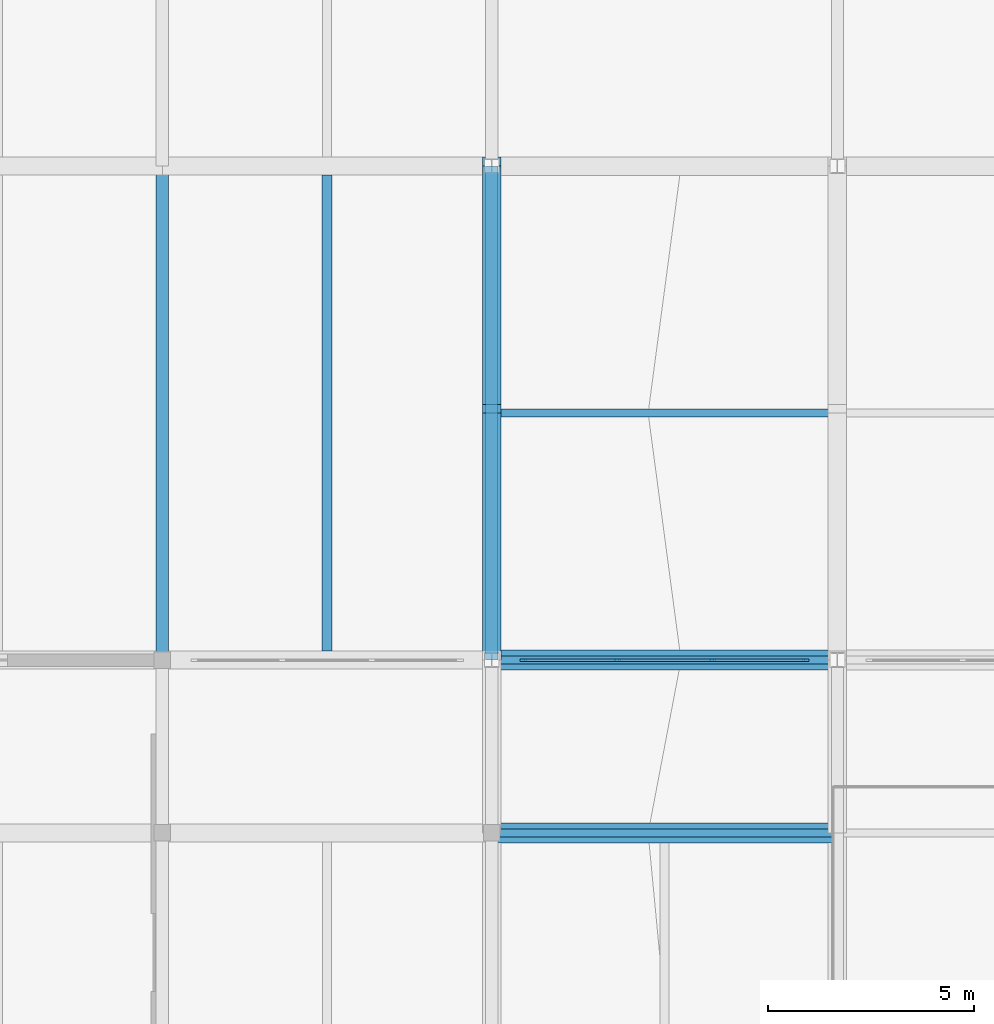
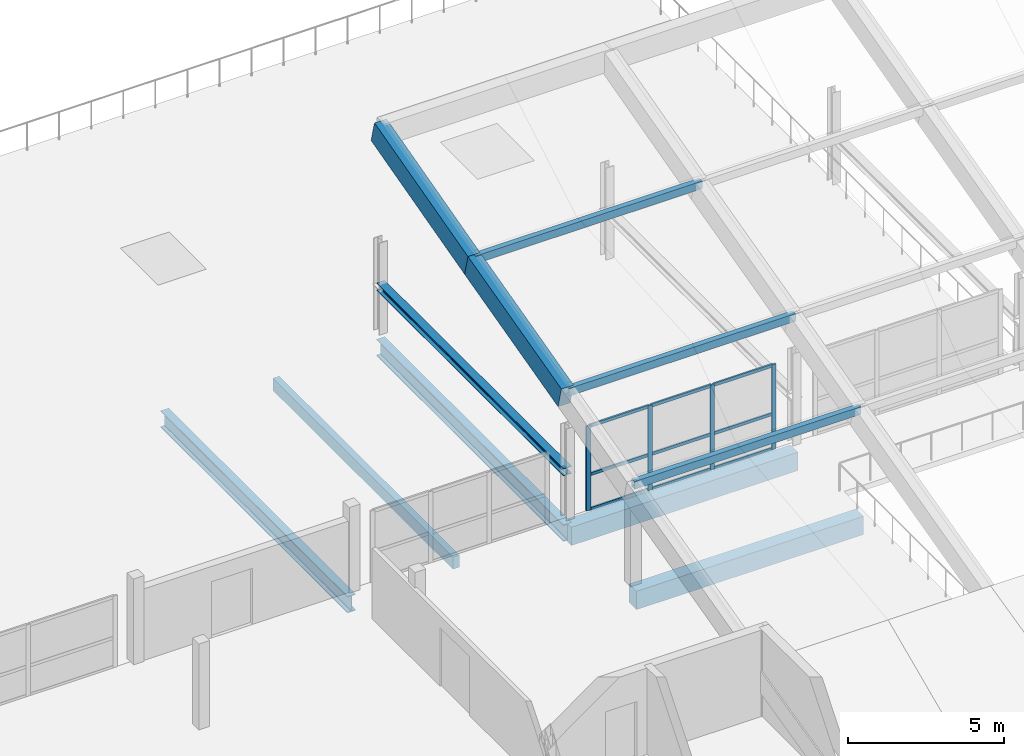
# One storey, part 24 of 51: 17 members, 7 beams, 1 element without a shape of its own.
"""IFC4 building model written with IfcOpenShell, lengths in metres."""

from ifc_helpers import new_model, si_unit, direction, frame, origin, origin_2d, place, context, subcontext, project, spatial, rectangle, hollow_rectangle, i_section, extrude, material, material_profile, profile_set, type_object, element, aggregate, save


model = new_model("IFC4")

# Units and contexts
model_context = context("Model", 3, precision=1e-05, world=origin(), true_north=direction((0.0, 1.0)))
body_context = subcontext(model_context, "Body", "Model", "MODEL_VIEW")
ifc_project = project(units=[si_unit("LENGTHUNIT", "METRE"), si_unit("AREAUNIT", "SQUARE_METRE"), si_unit("VOLUMEUNIT", "CUBIC_METRE"), si_unit("PLANEANGLEUNIT", "RADIAN"), si_unit("MASSUNIT", "GRAM", prefix="KILO")], contexts=[model_context])

# Site, building, storey
site_placement = place(None, origin())
site = spatial("IfcSite", under=ifc_project, at=site_placement, CompositionType="ELEMENT")
building_placement = place(site_placement, origin())
building = spatial("IfcBuilding", under=site, at=building_placement, Name="Vharandega Faculty of Natural Sciences", CompositionType="ELEMENT")
storey_placement = place(building_placement, frame((0.0, 0.0, 18.0)))
storey = spatial("IfcBuildingStorey", under=building, at=storey_placement, Name="L04", CompositionType="ELEMENT", Elevation=18.0)

# Curtain wall, members
ifc_material_1 = material(Name="Aluminium and solar-control glass curtain wall", Category="aluminium")
curtain_wall_type = type_object("IfcCurtainWallType", Name="Unitised Curtain Wall System CW-21", PredefinedType="NOTDEFINED", material=ifc_material_1)
curtain_wall_placement = place(storey_placement, origin())
curtain_wall = element("IfcCurtainWall", 1, at=curtain_wall_placement, inside=storey, type_object=curtain_wall_type, Name="Curtain Wall CW-L04-104", PredefinedType="NOTDEFINED")
ifc_material_2 = material(Name="Thermally broken aluminium 6063-T6", Category="aluminium")
ifc_material_profile_1 = material_profile(ifc_material_2, rectangle(XDim=0.06005859375, YDim=0.159912109375, at=origin_2d()), Name="ALU 60x160")
ifc_profile_set_1 = profile_set([ifc_material_profile_1], Name="Thermally broken aluminium 6063-T6")
member_type_1 = type_object("IfcMemberType", Name="CW Mullion 60x160", PredefinedType="MULLION", material=ifc_profile_set_1)
member_1_placement = place(storey_placement, frame((56.77001953125, 85.0, 0.0), z_axis=(0.0, 0.0, 1.0), x_axis=(0.0, 1.0, 0.0)))
member_1 = element("IfcMember", 2, at=member_1_placement, type_object=member_type_1, Name="CW-21 mullion 1", PredefinedType="MULLION", context=body_context, shape_type="SweptSolid", body=[
    extrude(rectangle(XDim=0.06005859375, YDim=0.159912109375, at=origin_2d()), origin(), (0.0, 0.0, 1.0), 3.320068359375),
])
member_2_placement = place(storey_placement, frame((59.046630859375, 85.0, 0.0), z_axis=(0.0, 0.0, 1.0), x_axis=(0.0, 1.0, 0.0)))
member_2 = element("IfcMember", 3, at=member_2_placement, type_object=member_type_1, Name="CW-21 mullion 2", PredefinedType="MULLION", context=body_context, shape_type="SweptSolid", body=[
    extrude(rectangle(XDim=0.06005859375, YDim=0.159912109375, at=origin_2d()), origin(), (0.0, 0.0, 1.0), 3.320068359375),
])
member_3_placement = place(storey_placement, frame((61.353271484375, 85.0, 0.0), z_axis=(0.0, 0.0, 1.0), x_axis=(0.0, 1.0, 0.0)))
member_3 = element("IfcMember", 4, at=member_3_placement, type_object=member_type_1, Name="CW-21 mullion 3", PredefinedType="MULLION", context=body_context, shape_type="SweptSolid", body=[
    extrude(rectangle(XDim=0.06005859375, YDim=0.159912109375, at=origin_2d()), origin(), (0.0, 0.0, 1.0), 3.320068359375),
])
member_4_placement = place(storey_placement, frame((63.6298828125, 85.0, 0.0), z_axis=(0.0, 0.0, 1.0), x_axis=(0.0, 1.0, 0.0)))
member_4 = element("IfcMember", 5, at=member_4_placement, type_object=member_type_1, Name="CW-21 mullion 4", PredefinedType="MULLION", context=body_context, shape_type="SweptSolid", body=[
    extrude(rectangle(XDim=0.06005859375, YDim=0.159912109375, at=origin_2d()), origin(), (0.0, 0.0, 1.0), 3.320068359375),
])
ifc_material_3 = material(Name="Thermally broken aluminium 6063-T6", Category="aluminium")
ifc_material_profile_2 = material_profile(ifc_material_3, rectangle(XDim=0.06005859375, YDim=0.1201171875, at=origin_2d()), Name="ALU 60x120")
ifc_profile_set_2 = profile_set([ifc_material_profile_2], Name="Thermally broken aluminium 6063-T6")
member_type_2 = type_object("IfcMemberType", Name="CW Transom 60x120", PredefinedType="USERDEFINED", material=ifc_profile_set_2)
member_5_placement = place(storey_placement, frame((56.800048828125, 85.0, 0.030029296875), z_axis=(1.0, 0.0, 0.0), x_axis=(0.0, 1.0, 0.0)))
member_5 = element("IfcMember", 6, at=member_5_placement, type_object=member_type_2, Name="CW-21 transom 1.1", ObjectType="TRANSOM", PredefinedType="USERDEFINED", context=body_context, shape_type="SweptSolid", body=[
    extrude(rectangle(XDim=0.06005859375, YDim=0.1201171875, at=origin_2d()), origin(), (0.0, 0.0, 1.0), 2.216552734375),
])
member_6_placement = place(storey_placement, frame((56.800048828125, 85.0, 1.394287109375), z_axis=(1.0, 0.0, 0.0), x_axis=(0.0, 1.0, 0.0)))
member_6 = element("IfcMember", 7, at=member_6_placement, type_object=member_type_2, Name="CW-21 transom 1.2", ObjectType="TRANSOM", PredefinedType="USERDEFINED", context=body_context, shape_type="SweptSolid", body=[
    extrude(rectangle(XDim=0.06005859375, YDim=0.1201171875, at=origin_2d()), origin(), (0.0, 0.0, 1.0), 2.216552734375),
])
member_7_placement = place(storey_placement, frame((56.800048828125, 85.0, 3.2900390625), z_axis=(1.0, 0.0, 0.0), x_axis=(0.0, 1.0, 0.0)))
member_7 = element("IfcMember", 8, at=member_7_placement, type_object=member_type_2, Name="CW-21 transom 1.3", ObjectType="TRANSOM", PredefinedType="USERDEFINED", context=body_context, shape_type="SweptSolid", body=[
    extrude(rectangle(XDim=0.06005859375, YDim=0.1201171875, at=origin_2d()), origin(), (0.0, 0.0, 1.0), 2.216552734375),
])
member_8_placement = place(storey_placement, frame((59.07666015625, 85.0, 0.030029296875), z_axis=(1.0, 0.0, 0.0), x_axis=(0.0, 1.0, 0.0)))
member_8 = element("IfcMember", 9, at=member_8_placement, type_object=member_type_2, Name="CW-21 transom 2.1", ObjectType="TRANSOM", PredefinedType="USERDEFINED", context=body_context, shape_type="SweptSolid", body=[
    extrude(rectangle(XDim=0.06005859375, YDim=0.1201171875, at=origin_2d()), origin(), (0.0, 0.0, 1.0), 2.24658203125),
])
member_9_placement = place(storey_placement, frame((59.07666015625, 85.0, 1.394287109375), z_axis=(1.0, 0.0, 0.0), x_axis=(0.0, 1.0, 0.0)))
member_9 = element("IfcMember", 10, at=member_9_placement, type_object=member_type_2, Name="CW-21 transom 2.2", ObjectType="TRANSOM", PredefinedType="USERDEFINED", context=body_context, shape_type="SweptSolid", body=[
    extrude(rectangle(XDim=0.06005859375, YDim=0.1201171875, at=origin_2d()), origin(), (0.0, 0.0, 1.0), 2.24658203125),
])
member_10_placement = place(storey_placement, frame((59.07666015625, 85.0, 3.2900390625), z_axis=(1.0, 0.0, 0.0), x_axis=(0.0, 1.0, 0.0)))
member_10 = element("IfcMember", 11, at=member_10_placement, type_object=member_type_2, Name="CW-21 transom 2.3", ObjectType="TRANSOM", PredefinedType="USERDEFINED", context=body_context, shape_type="SweptSolid", body=[
    extrude(rectangle(XDim=0.06005859375, YDim=0.1201171875, at=origin_2d()), origin(), (0.0, 0.0, 1.0), 2.24658203125),
])
member_11_placement = place(storey_placement, frame((61.38330078125, 85.0, 0.030029296875), z_axis=(1.0, 0.0, 0.0), x_axis=(0.0, 1.0, 0.0)))
member_11 = element("IfcMember", 12, at=member_11_placement, type_object=member_type_2, Name="CW-21 transom 3.1", ObjectType="TRANSOM", PredefinedType="USERDEFINED", context=body_context, shape_type="SweptSolid", body=[
    extrude(rectangle(XDim=0.06005859375, YDim=0.1201171875, at=origin_2d()), origin(), (0.0, 0.0, 1.0), 2.216796875),
])
member_12_placement = place(storey_placement, frame((61.38330078125, 85.0, 1.394287109375), z_axis=(1.0, 0.0, 0.0), x_axis=(0.0, 1.0, 0.0)))
member_12 = element("IfcMember", 13, at=member_12_placement, type_object=member_type_2, Name="CW-21 transom 3.2", ObjectType="TRANSOM", PredefinedType="USERDEFINED", context=body_context, shape_type="SweptSolid", body=[
    extrude(rectangle(XDim=0.06005859375, YDim=0.1201171875, at=origin_2d()), origin(), (0.0, 0.0, 1.0), 2.216796875),
])
member_13_placement = place(storey_placement, frame((61.38330078125, 85.0, 3.2900390625), z_axis=(1.0, 0.0, 0.0), x_axis=(0.0, 1.0, 0.0)))
member_13 = element("IfcMember", 14, at=member_13_placement, type_object=member_type_2, Name="CW-21 transom 3.3", ObjectType="TRANSOM", PredefinedType="USERDEFINED", context=body_context, shape_type="SweptSolid", body=[
    extrude(rectangle(XDim=0.06005859375, YDim=0.1201171875, at=origin_2d()), origin(), (0.0, 0.0, 1.0), 2.216796875),
])
aggregate(curtain_wall, [member_1, member_2, member_3, member_4, member_5, member_6, member_7, member_8, member_9, member_10, member_11, member_12, member_13])

# Beams
ifc_material_4 = material(Name="Glulam GL32h", Category="wood")
ifc_material_profile_3 = material_profile(ifc_material_4, rectangle(XDim=0.47998046875, YDim=0.719970703125, at=origin_2d()), Name="GL32h 480x720")
ifc_profile_set_3 = profile_set([ifc_material_profile_3], Name="Glulam GL32h")
beam_type_1 = type_object("IfcBeamType", Name="Glulam Primary Girder 480x720", PredefinedType="BEAM", material=ifc_profile_set_3)
for number, where, z_axis, x_axis, name in (
    (15, (56.0, 80.800048828125, -0.580078125), (1.0, 0.0, 0.0), (0.0, 1.0, 0.0), "Beam L04 L/8-9"),
    (16, (56.0, 85.0, -0.6201171875), (1.0, 0.0, 0.0), (0.0, 1.0, 0.0), "Beam L04 M/8-9"),
):
    element("IfcBeam", number, at=place(storey_placement, frame(where, z_axis=z_axis, x_axis=x_axis)), inside=storey, type_object=beam_type_1, Name=name, PredefinedType="BEAM", context=body_context, shape_type="SweptSolid", body=[
        extrude(rectangle(XDim=0.47998046875, YDim=0.719970703125, at=origin_2d()), origin(), (0.0, 0.0, 1.0), 8.39990234375),
    ])
ifc_material_5 = material(Name="Glulam GL28h", Category="wood")
ifc_material_profile_4 = material_profile(ifc_material_5, rectangle(XDim=0.239990234375, YDim=0.47998046875, at=origin_2d()), Name="GL28h 240x480")
ifc_profile_set_4 = profile_set([ifc_material_profile_4], Name="Glulam GL28h")
beam_type_2 = type_object("IfcBeamType", Name="Glulam Secondary Joist 240x480", PredefinedType="JOIST", material=ifc_profile_set_4)
beam_1_placement = place(storey_placement, frame((52.0, 85.219970703125, -0.5), z_axis=(0.0, 1.0, 0.0), x_axis=(-1.0, 0.0, 0.0)))
element("IfcBeam", 17, at=beam_1_placement, inside=storey, type_object=beam_type_2, Name="Secondary Joist L04 7-8/M-N", PredefinedType="JOIST", context=body_context, shape_type="SweptSolid", body=[
    extrude(rectangle(XDim=0.239990234375, YDim=0.47998046875, at=origin_2d()), origin(), (0.0, 0.0, 1.0), 11.56005859375),
])
ifc_material_6 = material(Name="Concrete C40/50", Category="concrete")
ifc_material_profile_5 = material_profile(ifc_material_6, rectangle(XDim=0.449951171875, YDim=0.85009765625, at=origin_2d()), Name="RC 450x850")
ifc_profile_set_5 = profile_set([ifc_material_profile_5], Name="Concrete C40/50")
beam_type_3 = type_object("IfcBeamType", Name="Shell Arch Rib Beam 450x850", PredefinedType="BEAM", material=ifc_profile_set_5)
beam_2_placement = place(storey_placement, frame((56.0, 85.106201171875, 4.678466796875), z_axis=(0.0, 0.968212411492, 0.250129418968), x_axis=(-1.0, 0.0, 0.0)))
element("IfcBeam", 18, at=beam_2_placement, inside=storey, type_object=beam_type_3, Name="Conoidal Shell Arch Rib 8-4", PredefinedType="BEAM", context=body_context, shape_type="SweptSolid", body=[
    extrude(rectangle(XDim=0.449951171875, YDim=0.85009765625, at=origin_2d()), origin(), (0.0, 0.0, 1.0), 6.197021484375),
])
beam_3_placement = place(storey_placement, frame((56.0, 91.109619140625, 6.229248046875), z_axis=(0.0, 0.966231024199, 0.25767733287), x_axis=(-1.0, 0.0, 0.0)))
element("IfcBeam", 19, at=beam_3_placement, inside=storey, type_object=beam_type_3, Name="Conoidal Shell Arch Rib 8-5", PredefinedType="BEAM", context=body_context, shape_type="SweptSolid", body=[
    extrude(rectangle(XDim=0.449951171875, YDim=0.85009765625, at=origin_2d()), origin(), (0.0, 0.0, 1.0), 6.209716796875),
])

# Members
ifc_material_7 = material(Name="Steel S355", Category="steel")
ifc_material_profile_6 = material_profile(ifc_material_7, i_section(OverallWidth=0.300048828125, OverallDepth=0.2900390625, WebThickness=0.008544921875, FlangeThickness=0.013916015625, FilletRadius=0.027099609375, at=origin_2d()), Name="HEA 300")
ifc_profile_set_6 = profile_set([ifc_material_profile_6], Name="Steel S355")
member_type_3 = type_object("IfcMemberType", Name="Shell Arch Tie HEA 300", PredefinedType="CHORD", material=ifc_profile_set_6)
member_14_placement = place(storey_placement, frame((56.0, 85.0, 1.800048828125), z_axis=(0.0, 1.0, 0.0), x_axis=(-1.0, 0.0, 0.0)))
element("IfcMember", 20, at=member_14_placement, inside=storey, type_object=member_type_3, Name="Conoidal Shell Tie 8", PredefinedType="CHORD", context=body_context, shape_type="SweptSolid", body=[
    extrude(i_section(OverallWidth=0.300048828125, OverallDepth=0.2900390625, WebThickness=0.008544921875, FlangeThickness=0.013916015625, FilletRadius=0.027099609375, at=origin_2d()), origin(), (0.0, 0.0, 1.0), 12.0),
])
ifc_material_8 = material(Name="Steel S355", Category="steel")
ifc_material_profile_7 = material_profile(ifc_material_8, hollow_rectangle(XDim=0.199951171875, YDim=0.300048828125, WallThickness=0.012451171875, at=origin_2d()), Name="RHS 300x200x12.5")
ifc_profile_set_7 = profile_set([ifc_material_profile_7], Name="Steel S355")
member_type_4 = type_object("IfcMemberType", Name="Shell Roof Purlin RHS 300x200", PredefinedType="PURLIN", material=ifc_profile_set_7)
for number, where, z_axis, x_axis, name in (
    (21, (56.0, 80.800048828125, 3.840087890625), (1.0, 0.0, 0.0), (0.0, 1.0, 0.0), "Shell Roof Purlin B1-2"),
    (22, (56.0, 85.0, 4.93994140625), (1.0, 0.0, 0.0), (0.0, 1.0, 0.0), "Shell Roof Purlin B1-3"),
    (23, (56.0, 91.0, 6.489990234375), (1.0, 0.0, 0.0), (0.0, 1.0, 0.0), "Shell Roof Purlin B1-4"),
):
    element("IfcMember", number, at=place(storey_placement, frame(where, z_axis=z_axis, x_axis=x_axis)), inside=storey, type_object=member_type_4, Name=name, PredefinedType="PURLIN", context=body_context, shape_type="SweptSolid", body=[
        extrude(hollow_rectangle(XDim=0.199951171875, YDim=0.300048828125, WallThickness=0.012451171875, at=origin_2d()), origin(), (0.0, 0.0, 1.0), 8.39990234375),
    ])

# Beams
ifc_material_9 = material(Name="Steel S355", Category="steel")
ifc_material_profile_8 = material_profile(ifc_material_9, i_section(OverallWidth=0.300048828125, OverallDepth=0.64990234375, WebThickness=0.01611328125, FlangeThickness=0.031005859375, FilletRadius=0.027099609375, at=origin_2d()), Name="HEB 650")
ifc_profile_set_8 = profile_set([ifc_material_profile_8], Name="Steel S355")
beam_type_4 = type_object("IfcBeamType", Name="Steel Collector Beam HEB 650", PredefinedType="BEAM", material=ifc_profile_set_8)
for number, where, z_axis, x_axis, name in (
    (24, (48.0, 85.0, -0.5849609375), (0.0, 1.0, 0.0), (-1.0, 0.0, 0.0), "Beam L04 7/M-N"),
    (25, (56.0, 85.0, -0.5849609375), (0.0, 1.0, 0.0), (-1.0, 0.0, 0.0), "Beam L04 8/M-N"),
):
    element("IfcBeam", number, at=place(storey_placement, frame(where, z_axis=z_axis, x_axis=x_axis)), inside=storey, type_object=beam_type_4, Name=name, PredefinedType="BEAM", context=body_context, shape_type="SweptSolid", body=[
        extrude(i_section(OverallWidth=0.300048828125, OverallDepth=0.64990234375, WebThickness=0.01611328125, FlangeThickness=0.031005859375, FilletRadius=0.027099609375, at=origin_2d()), origin(), (0.0, 0.0, 1.0), 12.0),
    ])

save(model, "model.ifc")
